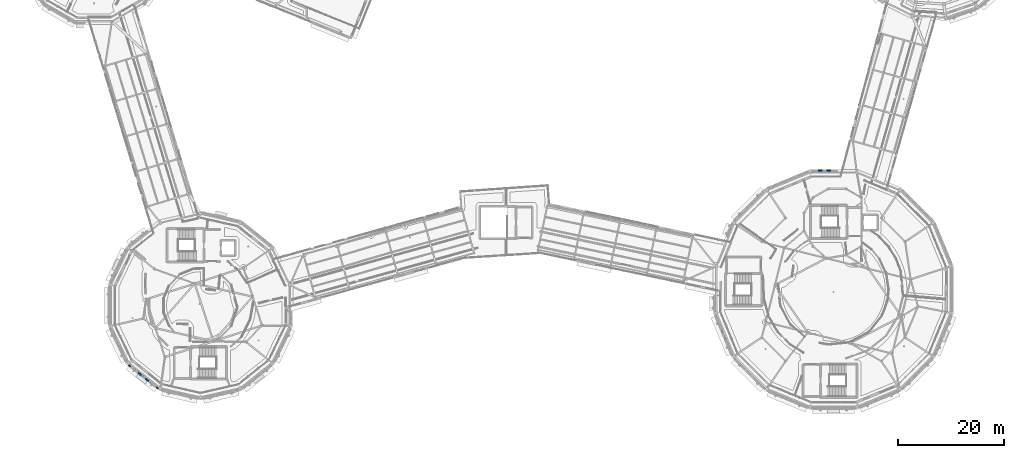
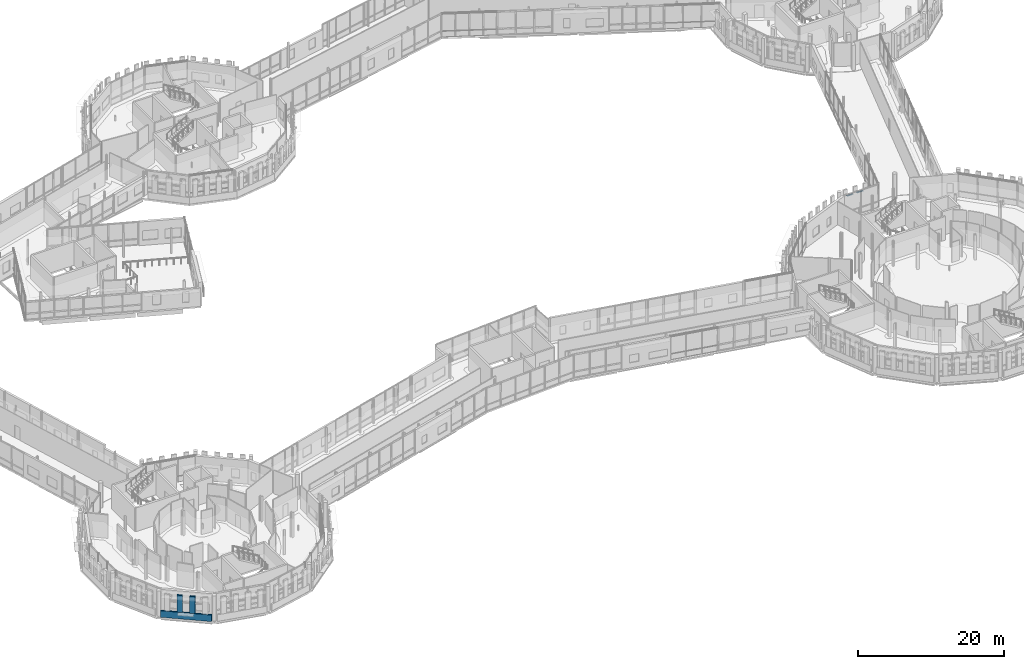
# One storey, part 86 of 125: 3 walls, 2 plates.
"""IFC4 building model written with IfcOpenShell, lengths in metres."""

from ifc_helpers import new_model, si_unit, direction, frame, frame_2d, origin, origin_2d, place, context, subcontext, project, spatial, rectangle, extrude, material, layer, layer_set, type_object, element, save


model = new_model("IFC4")

# Units and contexts
model_context = context("Model", 3, precision=1e-05, world=origin(), true_north=direction((0.0, 1.0)))
body_context = subcontext(model_context, "Body", "Model", "MODEL_VIEW")
ifc_project = project(units=[si_unit("LENGTHUNIT", "METRE"), si_unit("AREAUNIT", "SQUARE_METRE"), si_unit("VOLUMEUNIT", "CUBIC_METRE"), si_unit("PLANEANGLEUNIT", "RADIAN"), si_unit("MASSUNIT", "GRAM", prefix="KILO")], contexts=[model_context])

# Site, building, storey
site_placement = place(None, origin())
site = spatial("IfcSite", under=ifc_project, at=site_placement, CompositionType="ELEMENT")
building_placement = place(site_placement, origin())
building = spatial("IfcBuilding", under=site, at=building_placement, Name="Wrenclough Park School", CompositionType="ELEMENT")
storey_placement = place(building_placement, frame((0.0, 0.0, 4.199951171875)))
storey = spatial("IfcBuildingStorey", under=building, at=storey_placement, Name="L01", CompositionType="ELEMENT", Elevation=4.199951171875)

# Plates
ifc_material_1 = material(Name="Anodised architectural aluminium solar shading fin plate", Category="aluminium")
ifc_layer_1 = layer(ifc_material_1, 0.0380859375)
ifc_layer_set_1 = layer_set([ifc_layer_1], Name="Anodised architectural aluminium solar shading fin plate")
plate_type = type_object("IfcPlateType", Name="ENV-PL-BSF", PredefinedType="SHEET", material=ifc_layer_set_1)
for number, where, z_axis, x_axis, name in (
    (1, (154.59912109375, 48.878173828125, 2.72216796875), (0.0, 0.0, 1.0), (-1.0, 0.0, 0.0), "D1 L01 open-bond brick screen tie band 0129"),
    (2, (153.01708984375, 48.878173828125, 2.72216796875), (0.0, 0.0, 1.0), (-1.0, 0.0, 0.0), "D1 L01 open-bond brick screen tie band 0130"),
):
    element("IfcPlate", number, at=place(storey_placement, frame(where, z_axis=z_axis, x_axis=x_axis)), inside=storey, type_object=plate_type, Name=name, PredefinedType="SHEET", context=body_context, shape_type="SweptSolid", body=[
        extrude(rectangle(XDim=0.968017578125, YDim=0.219970703125, at=origin_2d()), origin(), (0.0, 0.0, 1.0), 0.0419921875),
    ])

# Walls
ifc_material_2 = material(Name="Perforated open-bond Staffordshire and Manchester brick screen pier", Category="masonry")
ifc_layer_2 = layer(ifc_material_2, 0.2451171875)
ifc_layer_set_2 = layer_set([ifc_layer_2], Name="Perforated open-bond Staffordshire and Manchester brick screen pier")
wall_type_1 = type_object("IfcWallType", Name="ENV-BS-PR245", PredefinedType="ELEMENTEDWALL", material=ifc_layer_set_2)
for number, where, z_axis, x_axis, name in (
    (3, (24.814208984375, 10.853271484375, 1.090087890625), (0.0, 0.0, 1.0), (0.781705112218, -0.623648232205, 0.0), "D2 L01 perforated brick screen pier 0256"),
    (4, (26.19140625, 9.754638671875, 1.090087890625), (0.0, 0.0, 1.0), (0.781833401173, -0.623487395872, 0.0), "D2 L01 perforated brick screen pier 0257"),
):
    element("IfcWall", number, at=place(storey_placement, frame(where, z_axis=z_axis, x_axis=x_axis)), inside=storey, type_object=wall_type_1, Name=name, PredefinedType="ELEMENTEDWALL", context=body_context, shape_type="SweptSolid", body=[
        extrude(rectangle(XDim=0.739990234375, YDim=0.2451171875, at=frame_2d((0.3701171875, 0.0))), origin(), (0.0, 0.0, 1.0), 2.849853515625),
    ])
ifc_material_3 = material(Name="Open-bond Manchester multi-stock brick spandrel screen", Category="masonry")
ifc_layer_3 = layer(ifc_material_3, 0.22509765625)
ifc_layer_set_3 = layer_set([ifc_layer_3], Name="Open-bond Manchester multi-stock brick spandrel screen")
wall_type_2 = type_object("IfcWallType", Name="ENV-BS-SP225", PredefinedType="ELEMENTEDWALL", material=ifc_layer_set_3)
wall_placement = place(storey_placement, frame((23.037109375, 12.270263671875, 0.0), z_axis=(0.0, 0.0, 1.0), x_axis=(0.781821002863, -0.623502942641, 0.0)))
element("IfcWall", 5, at=wall_placement, inside=storey, type_object=wall_type_2, Name="D2 L01 open-bond brick screen spandrel 0069", PredefinedType="ELEMENTEDWALL", context=body_context, shape_type="SweptSolid", body=[
    extrude(rectangle(XDim=7.04736328125, YDim=0.22509765625, at=frame_2d((3.523681640625, 0.0))), origin(), (0.0, 0.0, 1.0), 1.090087890625),
])

save(model, "model.ifc")
